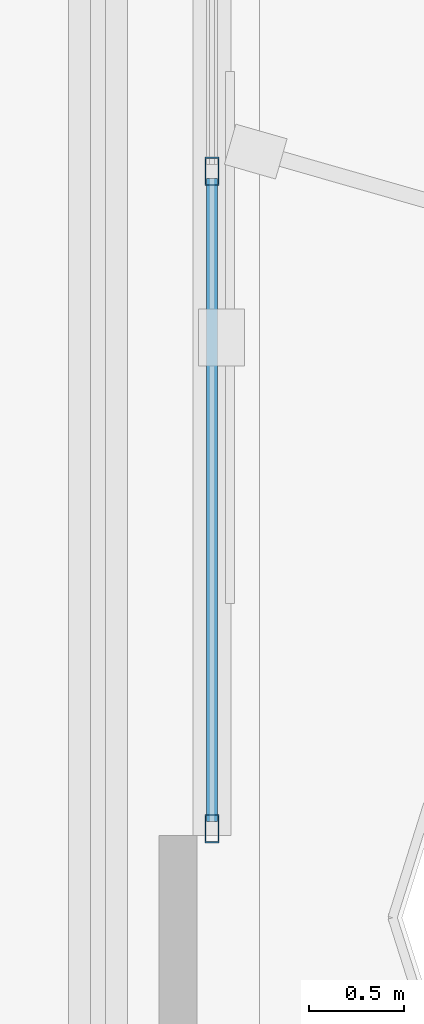
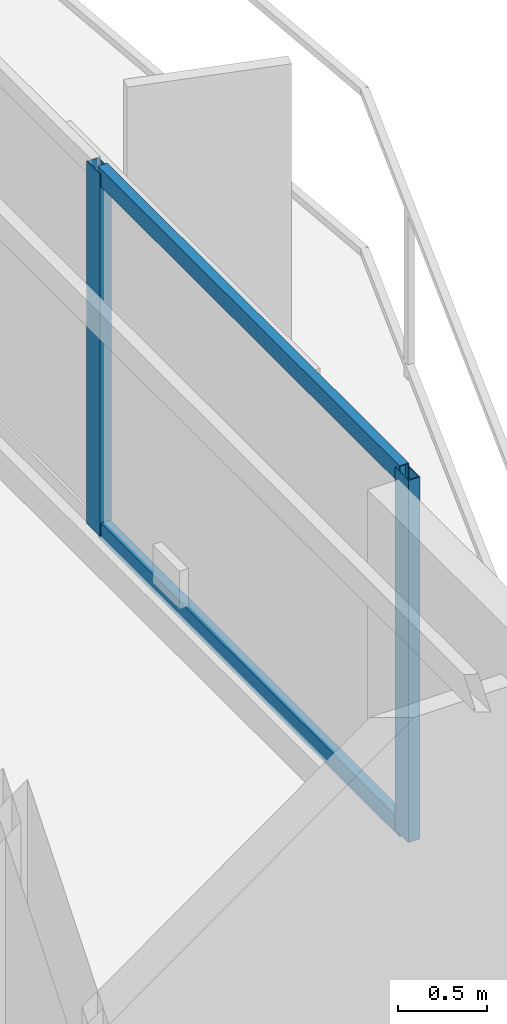
# One storey, part 7 of 19: 4 members, 1 element without a shape of its own.
"""IFC4 building model written with IfcOpenShell, lengths in metres."""

from ifc_helpers import new_model, si_unit, direction, frame, origin, origin_2d, place, context, subcontext, project, spatial, hollow_rectangle, extrude, material, layer, layer_set, material_profile, profile_set, type_object, element, aggregate, save


model = new_model("IFC4")

# Units and contexts
model_context = context("Model", 3, precision=1e-05, world=origin(), true_north=direction((0.0, 1.0)))
body_context = subcontext(model_context, "Body", "Model", "MODEL_VIEW")
ifc_project = project(units=[si_unit("LENGTHUNIT", "METRE"), si_unit("AREAUNIT", "SQUARE_METRE"), si_unit("VOLUMEUNIT", "CUBIC_METRE"), si_unit("PLANEANGLEUNIT", "RADIAN"), si_unit("MASSUNIT", "GRAM", prefix="KILO")], contexts=[model_context])

# Site, building, storey
site_placement = place(None, origin())
site = spatial("IfcSite", under=ifc_project, at=site_placement, CompositionType="ELEMENT")
building_placement = place(site_placement, origin())
building = spatial("IfcBuilding", under=site, at=building_placement, Name="Mersakhor Tower and Convention Hall", CompositionType="ELEMENT")
storey_placement = place(building_placement, frame((0.0, 0.0, 144.300048828125)))
storey = spatial("IfcBuildingStorey", under=building, at=storey_placement, Name="L40", CompositionType="ELEMENT", Elevation=144.300048828125)

# Curtain wall, members
ifc_material_1 = material(Name="Dark solar low-E aluminium curtain wall", Category="aluminium")
ifc_layer = layer(ifc_material_1, 0.169921875)
ifc_layer_set = layer_set([ifc_layer], Name="Dark solar low-E aluminium curtain wall")
curtain_wall_type = type_object("IfcCurtainWallType", Name="CW-SYS-02", PredefinedType="USERDEFINED", material=ifc_layer_set)
curtain_wall_placement = place(storey_placement, origin())
curtain_wall = element("IfcCurtainWall", 1, at=curtain_wall_placement, inside=storey, type_object=curtain_wall_type, Name="L40 Dark-Glass Curtain Wall F2-B2", ObjectType="CURTAIN WALL", PredefinedType="USERDEFINED")
ifc_material_2 = material(Name="Anodised aluminium EN AW-6063 T6", Category="aluminium")
ifc_material_profile_1 = material_profile(ifc_material_2, hollow_rectangle(XDim=0.074951171875, YDim=0.14990234375, WallThickness=0.00634765625, at=origin_2d()), Name="RHS 150x75x6.3")
ifc_profile_set_1 = profile_set([ifc_material_profile_1], Name="Anodised aluminium EN AW-6063 T6")
member_type_1 = type_object("IfcMemberType", Name="CWM-150x75", PredefinedType="MULLION", material=ifc_profile_set_1)
member_1_placement = place(storey_placement, frame((42.21923828125, 25.00244140625, 0.199951171875), z_axis=(0.0, 0.0, 1.0), x_axis=(1.0, 0.0, 0.0)))
member_1 = element("IfcMember", 2, at=member_1_placement, type_object=member_type_1, Name="CW-02 mullion 3", PredefinedType="MULLION", context=body_context, shape_type="SweptSolid", body=[
    extrude(hollow_rectangle(XDim=0.074951171875, YDim=0.14990234375, WallThickness=0.00634765625, at=origin_2d()), origin(), (0.0, 0.0, 1.0), 2.47998046875),
])
member_2_placement = place(storey_placement, frame((42.21923828125, 21.54443359375, 0.199951171875), z_axis=(0.0, 0.0, 1.0), x_axis=(1.0, 0.0, 0.0)))
member_2 = element("IfcMember", 3, at=member_2_placement, type_object=member_type_1, Name="CW-02 mullion 4", PredefinedType="MULLION", context=body_context, shape_type="SweptSolid", body=[
    extrude(hollow_rectangle(XDim=0.074951171875, YDim=0.14990234375, WallThickness=0.00634765625, at=origin_2d()), origin(), (0.0, 0.0, 1.0), 2.47998046875),
])
ifc_material_3 = material(Name="Anodised aluminium EN AW-6063 T6", Category="aluminium")
ifc_material_profile_2 = material_profile(ifc_material_3, hollow_rectangle(XDim=0.06005859375, YDim=0.1201171875, WallThickness=0.0048828125, at=origin_2d()), Name="RHS 120x60x5")
ifc_profile_set_2 = profile_set([ifc_material_profile_2], Name="Anodised aluminium EN AW-6063 T6")
member_type_2 = type_object("IfcMemberType", Name="CWT-120x60", PredefinedType="USERDEFINED", material=ifc_profile_set_2)
member_3_placement = place(storey_placement, frame((42.21923828125, 24.96484375, 0.22998046875), z_axis=(0.0, -1.0, 0.0), x_axis=(1.0, 0.0, 0.0)))
member_3 = element("IfcMember", 4, at=member_3_placement, type_object=member_type_2, Name="CW-02 transom 3.1", ObjectType="TRANSOM", PredefinedType="USERDEFINED", context=body_context, shape_type="SweptSolid", body=[
    extrude(hollow_rectangle(XDim=0.06005859375, YDim=0.1201171875, WallThickness=0.0048828125, at=origin_2d()), origin(), (0.0, 0.0, 1.0), 3.3828125),
])
member_4_placement = place(storey_placement, frame((42.21923828125, 24.96484375, 2.64990234375), z_axis=(0.0, -1.0, 0.0), x_axis=(1.0, 0.0, 0.0)))
member_4 = element("IfcMember", 5, at=member_4_placement, type_object=member_type_2, Name="CW-02 transom 3.2", ObjectType="TRANSOM", PredefinedType="USERDEFINED", context=body_context, shape_type="SweptSolid", body=[
    extrude(hollow_rectangle(XDim=0.06005859375, YDim=0.1201171875, WallThickness=0.0048828125, at=origin_2d()), origin(), (0.0, 0.0, 1.0), 3.3828125),
])
aggregate(curtain_wall, [member_1, member_2, member_3, member_4])

save(model, "model.ifc")
